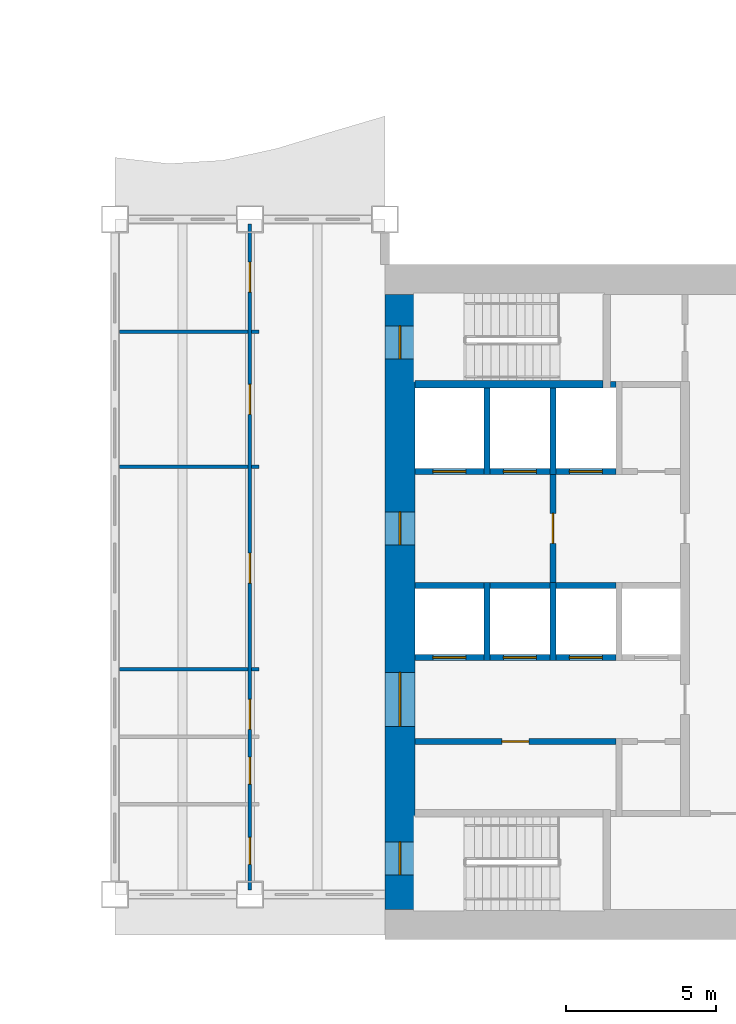
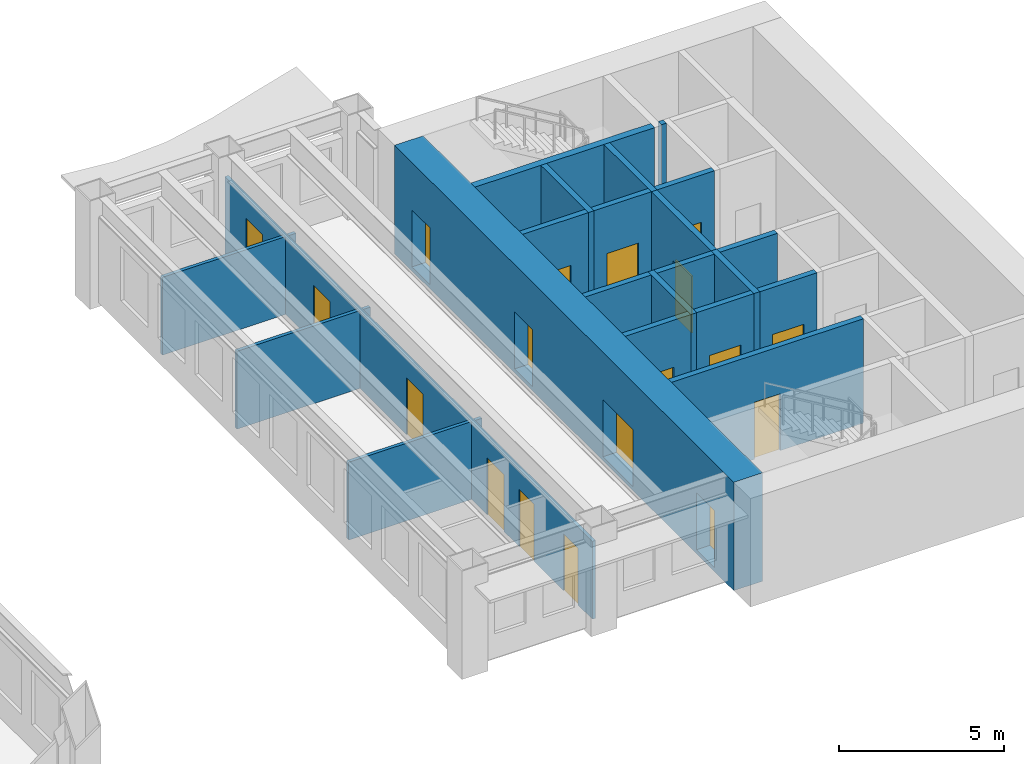
# One storey, part 6 of 13: 25 walls, 18 doors, 18 openings.
"""IFC4 building model written with IfcOpenShell, lengths in metres."""

from ifc_helpers import new_model, si_unit, direction, frame, frame_2d, origin, place, context, subcontext, project, spatial, rectangle, extrude, material, layer, layer_set, type_object, element, fill, save


model = new_model("IFC4")

# Units and contexts
model_context = context("Model", 3, precision=1e-05, world=origin(), true_north=direction((0.0, 1.0)))
body_context = subcontext(model_context, "Body", "Model", "MODEL_VIEW")
ifc_project = project(units=[si_unit("LENGTHUNIT", "METRE"), si_unit("AREAUNIT", "SQUARE_METRE"), si_unit("VOLUMEUNIT", "CUBIC_METRE"), si_unit("PLANEANGLEUNIT", "RADIAN"), si_unit("MASSUNIT", "GRAM", prefix="KILO")], contexts=[model_context])

# Site, building, storey
site_placement = place(None, origin())
site = spatial("IfcSite", under=ifc_project, at=site_placement, CompositionType="ELEMENT")
building_placement = place(site_placement, origin())
building = spatial("IfcBuilding", under=site, at=building_placement, Name="Sennacour Bend Tower", CompositionType="ELEMENT")
storey_placement = place(building_placement, frame((0.0, 0.0, 143.0)))
storey = spatial("IfcBuildingStorey", under=building, at=storey_placement, Name="L32", CompositionType="ELEMENT", Elevation=143.0)

# Wall, openings, doors
ifc_material_1 = material(Name="Concrete C60/75", Category="concrete")
ifc_layer_1 = layer(ifc_material_1, 1.0, Name="Concrete C60/75", Category="concrete")
ifc_layer_set_1 = layer_set([ifc_layer_1], Name="Concrete C60/75")
wall_type_1 = type_object("IfcWallType", Name="Core wall 1000 C60/75", PredefinedType="SHEAR", material=ifc_layer_set_1)
wall_1_placement = place(storey_placement, frame((54.5, 1.0, -0.14990234375), z_axis=(0.0, 0.0, 1.0), x_axis=(0.0, 1.0, 0.0)))
wall_1 = element("IfcWall", 1, at=wall_1_placement, inside=storey, type_object=wall_type_1, Name="Core A wall L32 W", PredefinedType="SHEAR", context=body_context, shape_type="SweptSolid", body=[
    extrude(rectangle(XDim=20.5, YDim=1.0, at=frame_2d((10.25, 0.0))), origin(), (0.0, 0.0, 1.0), 4.0),
])
opening_1_placement = place(wall_1_placement, frame((6.10009765625, 0.0, 0.14990234375)))
opening_1 = element("IfcOpeningElement", 2, at=opening_1_placement, cuts=wall_1, Name="Opening CD", PredefinedType="OPENING", context=body_context, shape_type="SweptSolid", body=[
    extrude(rectangle(XDim=1.800048828125, YDim=2.10009765625, at=frame_2d((0.89990234375, 1.050048828125))), frame((0.0, 0.510009765625, 0.0), z_axis=(0.0, -1.0, 0.0), x_axis=(1.0, 0.0, 0.0)), (0.0, 0.0, 1.0), 1.02001953125),
])
opening_2_placement = place(wall_1_placement, frame((12.14990234375, 0.0, 0.14990234375)))
opening_2 = element("IfcOpeningElement", 3, at=opening_2_placement, cuts=wall_1, Name="Opening FD", PredefinedType="OPENING", context=body_context, shape_type="SweptSolid", body=[
    extrude(rectangle(XDim=1.10009765625, YDim=2.10009765625, at=frame_2d((0.550048828125, 1.050048828125))), frame((0.0, 0.510009765625, 0.0), z_axis=(0.0, -1.0, 0.0), x_axis=(1.0, 0.0, 0.0)), (0.0, 0.0, 1.0), 1.02001953125),
])
opening_3_placement = place(wall_1_placement, frame((1.14990234375, 0.0, 0.14990234375)))
opening_3 = element("IfcOpeningElement", 4, at=opening_3_placement, cuts=wall_1, Name="Opening SD", PredefinedType="OPENING", context=body_context, shape_type="SweptSolid", body=[
    extrude(rectangle(XDim=1.10009765625, YDim=2.10009765625, at=frame_2d((0.550048828125, 1.050048828125))), frame((0.0, 0.510009765625, 0.0), z_axis=(0.0, -1.0, 0.0), x_axis=(1.0, 0.0, 0.0)), (0.0, 0.0, 1.0), 1.02001953125),
])
opening_4_placement = place(wall_1_placement, frame((18.35009765625, 0.0, 0.14990234375)))
opening_4 = element("IfcOpeningElement", 5, at=opening_4_placement, cuts=wall_1, Name="Opening SD", PredefinedType="OPENING", context=body_context, shape_type="SweptSolid", body=[
    extrude(rectangle(XDim=1.10009765625, YDim=2.10009765625, at=frame_2d((0.550048828125, 1.050048828125))), frame((0.0, 0.510009765625, 0.0), z_axis=(0.0, -1.0, 0.0), x_axis=(1.0, 0.0, 0.0)), (0.0, 0.0, 1.0), 1.02001953125),
])
ifc_material_2 = material(Name="Painted steel", Category="steel")
door_type_1 = type_object("IfcDoorType", Name="DR-FFL-1100", OperationType="NOTDEFINED", PredefinedType="DOOR", material=ifc_material_2)
door_1_placement = place(opening_2_placement, origin())
door_1 = element("IfcDoor", 6, at=door_1_placement, inside=storey, type_object=door_type_1, Name="Door", OperationType="SINGLE_SWING_RIGHT", OverallHeight=2.10009765625, OverallWidth=1.10009765625, PredefinedType="DOOR", context=body_context, shape_type="SweptSolid", body=[
    extrude(rectangle(XDim=1.10009765625, YDim=2.10009765625, at=frame_2d((0.550048828125, 1.050048828125))), frame((0.0, 0.02490234375, 0.0), z_axis=(0.0, -1.0, 0.0), x_axis=(1.0, 0.0, 0.0)), (0.0, 0.0, 1.0), 0.050048828125),
])
fill(opening_2, door_1)
door_type_2 = type_object("IfcDoorType", Name="DR-LOBBY-1800", OperationType="NOTDEFINED", PredefinedType="DOOR", material=ifc_material_2)
door_2_placement = place(opening_1_placement, origin())
door_2 = element("IfcDoor", 7, at=door_2_placement, inside=storey, type_object=door_type_2, Name="Door", OperationType="DOUBLE_DOOR_SINGLE_SWING", OverallHeight=2.10009765625, OverallWidth=1.800048828125, PredefinedType="DOOR", context=body_context, shape_type="SweptSolid", body=[
    extrude(rectangle(XDim=1.800048828125, YDim=2.10009765625, at=frame_2d((0.89990234375, 1.050048828125))), frame((0.0, 0.02490234375, 0.0), z_axis=(0.0, -1.0, 0.0), x_axis=(1.0, 0.0, 0.0)), (0.0, 0.0, 1.0), 0.050048828125),
])
fill(opening_1, door_2)
door_type_3 = type_object("IfcDoorType", Name="DR-STAIR-1100", OperationType="NOTDEFINED", PredefinedType="DOOR", material=ifc_material_2)
door_3_placement = place(opening_3_placement, origin())
door_3 = element("IfcDoor", 8, at=door_3_placement, inside=storey, type_object=door_type_3, Name="Door", OperationType="SINGLE_SWING_LEFT", OverallHeight=2.10009765625, OverallWidth=1.10009765625, PredefinedType="DOOR", context=body_context, shape_type="SweptSolid", body=[
    extrude(rectangle(XDim=1.10009765625, YDim=2.10009765625, at=frame_2d((0.550048828125, 1.050048828125))), frame((0.0, 0.02490234375, 0.0), z_axis=(0.0, -1.0, 0.0), x_axis=(1.0, 0.0, 0.0)), (0.0, 0.0, 1.0), 0.050048828125),
])
fill(opening_3, door_3)
door_4_placement = place(opening_4_placement, origin())
door_4 = element("IfcDoor", 9, at=door_4_placement, inside=storey, type_object=door_type_3, Name="Door", OperationType="SINGLE_SWING_RIGHT", OverallHeight=2.10009765625, OverallWidth=1.10009765625, PredefinedType="DOOR", context=body_context, shape_type="SweptSolid", body=[
    extrude(rectangle(XDim=1.10009765625, YDim=2.10009765625, at=frame_2d((0.550048828125, 1.050048828125))), frame((0.0, 0.02490234375, 0.0), z_axis=(0.0, -1.0, 0.0), x_axis=(1.0, 0.0, 0.0)), (0.0, 0.0, 1.0), 0.050048828125),
])
fill(opening_4, door_4)

ifc_material_3 = material(Name="Plasterboard partition on steel studs", Category="steel")
ifc_layer_2 = layer(ifc_material_3, 0.1201171875, Name="Plasterboard partition on steel studs", Category="steel")
ifc_layer_set_2 = layer_set([ifc_layer_2], Name="Plasterboard partition on steel studs")
wall_type_2 = type_object("IfcWallType", Name="Partition 120", PredefinedType="PARTITIONING", material=ifc_layer_set_2)
wall_2_placement = place(storey_placement, frame((49.5, 1.64990234375, 0.0), z_axis=(0.0, 0.0, 1.0), x_axis=(0.0, 1.0, 0.0)))
wall_2 = element("IfcWall", 10, at=wall_2_placement, inside=storey, type_object=wall_type_2, Name="P-L32-W027a", PredefinedType="PARTITIONING", context=body_context, shape_type="SweptSolid", body=[
    extrude(rectangle(XDim=22.2001953125, YDim=0.1201171875, at=frame_2d((11.10009765625, 0.0))), origin(), (0.0, 0.0, 1.0), 2.8701171875),
])
opening_5_placement = place(wall_2_placement, frame((0.85009765625, 0.0, 0.0)))
opening_5 = element("IfcOpeningElement", 11, at=opening_5_placement, cuts=wall_2, Name="Opening WD", PredefinedType="OPENING", context=body_context, shape_type="SweptSolid", body=[
    extrude(rectangle(XDim=0.89990234375, YDim=2.10009765625, at=frame_2d((0.449951171875, 1.050048828125))), frame((0.0, 0.070068359375, 0.0), z_axis=(0.0, -1.0, 0.0), x_axis=(1.0, 0.0, 0.0)), (0.0, 0.0, 1.0), 0.14013671875),
])
opening_6_placement = place(wall_2_placement, frame((3.525146484375, 0.0, 0.0)))
opening_6 = element("IfcOpeningElement", 12, at=opening_6_placement, cuts=wall_2, Name="Opening WD", PredefinedType="OPENING", context=body_context, shape_type="SweptSolid", body=[
    extrude(rectangle(XDim=0.89990234375, YDim=2.10009765625, at=frame_2d((0.449951171875, 1.050048828125))), frame((0.0, 0.070068359375, 0.0), z_axis=(0.0, -1.0, 0.0), x_axis=(1.0, 0.0, 0.0)), (0.0, 0.0, 1.0), 0.14013671875),
])
opening_7_placement = place(wall_2_placement, frame((5.35009765625, 0.0, 0.0)))
opening_7 = element("IfcOpeningElement", 13, at=opening_7_placement, cuts=wall_2, Name="Opening AD", PredefinedType="OPENING", context=body_context, shape_type="SweptSolid", body=[
    extrude(rectangle(XDim=1.0, YDim=2.10009765625, at=frame_2d((0.5, 1.050048828125))), frame((0.0, 0.070068359375, 0.0), z_axis=(0.0, -1.0, 0.0), x_axis=(1.0, 0.0, 0.0)), (0.0, 0.0, 1.0), 0.14013671875),
])
opening_8_placement = place(wall_2_placement, frame((10.22509765625, 0.0, 0.0)))
opening_8 = element("IfcOpeningElement", 14, at=opening_8_placement, cuts=wall_2, Name="Opening MD2", PredefinedType="OPENING", context=body_context, shape_type="SweptSolid", body=[
    extrude(rectangle(XDim=1.0, YDim=2.10009765625, at=frame_2d((0.5, 1.050048828125))), frame((0.0, 0.070068359375, 0.0), z_axis=(0.0, -1.0, 0.0), x_axis=(1.0, 0.0, 0.0)), (0.0, 0.0, 1.0), 0.14013671875),
])
opening_9_placement = place(wall_2_placement, frame((15.85009765625, 0.0, 0.0)))
opening_9 = element("IfcOpeningElement", 15, at=opening_9_placement, cuts=wall_2, Name="Opening OD2", PredefinedType="OPENING", context=body_context, shape_type="SweptSolid", body=[
    extrude(rectangle(XDim=1.0, YDim=2.10009765625, at=frame_2d((0.5, 1.050048828125))), frame((0.0, 0.070068359375, 0.0), z_axis=(0.0, -1.0, 0.0), x_axis=(1.0, 0.0, 0.0)), (0.0, 0.0, 1.0), 0.14013671875),
])
opening_10_placement = place(wall_2_placement, frame((19.920166015625, 0.0, 0.0)))
opening_10 = element("IfcOpeningElement", 16, at=opening_10_placement, cuts=wall_2, Name="Opening OD2", PredefinedType="OPENING", context=body_context, shape_type="SweptSolid", body=[
    extrude(rectangle(XDim=1.0, YDim=2.10009765625, at=frame_2d((0.5, 1.050048828125))), frame((0.0, 0.070068359375, 0.0), z_axis=(0.0, -1.0, 0.0), x_axis=(1.0, 0.0, 0.0)), (0.0, 0.0, 1.0), 0.14013671875),
])
ifc_material_4 = material(Name="Timber", Category="wood")
door_type_4 = type_object("IfcDoorType", Name="DR-ACC-WC-1000", OperationType="NOTDEFINED", PredefinedType="DOOR", material=ifc_material_4)
door_5_placement = place(opening_7_placement, origin())
door_5 = element("IfcDoor", 17, at=door_5_placement, inside=storey, type_object=door_type_4, Name="Door", OperationType="SINGLE_SWING_LEFT", OverallHeight=2.10009765625, OverallWidth=1.0, PredefinedType="DOOR", context=body_context, shape_type="SweptSolid", body=[
    extrude(rectangle(XDim=1.0, YDim=2.10009765625, at=frame_2d((0.5, 1.050048828125))), frame((0.0, 0.02490234375, 0.0), z_axis=(0.0, -1.0, 0.0), x_axis=(1.0, 0.0, 0.0)), (0.0, 0.0, 1.0), 0.050048828125),
])
fill(opening_7, door_5)
door_type_5 = type_object("IfcDoorType", Name="DR-MEETING-1000", OperationType="NOTDEFINED", PredefinedType="DOOR", material=ifc_material_4)
door_6_placement = place(opening_8_placement, origin())
door_6 = element("IfcDoor", 18, at=door_6_placement, inside=storey, type_object=door_type_5, Name="Door", OperationType="SINGLE_SWING_LEFT", OverallHeight=2.10009765625, OverallWidth=1.0, PredefinedType="DOOR", context=body_context, shape_type="SweptSolid", body=[
    extrude(rectangle(XDim=1.0, YDim=2.10009765625, at=frame_2d((0.5, 1.050048828125))), frame((0.0, 0.02490234375, 0.0), z_axis=(0.0, -1.0, 0.0), x_axis=(1.0, 0.0, 0.0)), (0.0, 0.0, 1.0), 0.050048828125),
])
fill(opening_8, door_6)
door_type_6 = type_object("IfcDoorType", Name="DR-OFFICE-1000", OperationType="NOTDEFINED", PredefinedType="DOOR", material=ifc_material_4)
door_7_placement = place(opening_9_placement, origin())
door_7 = element("IfcDoor", 19, at=door_7_placement, inside=storey, type_object=door_type_6, Name="Door", OperationType="SINGLE_SWING_RIGHT", OverallHeight=2.10009765625, OverallWidth=1.0, PredefinedType="DOOR", context=body_context, shape_type="SweptSolid", body=[
    extrude(rectangle(XDim=1.0, YDim=2.10009765625, at=frame_2d((0.5, 1.050048828125))), frame((0.0, 0.02490234375, 0.0), z_axis=(0.0, -1.0, 0.0), x_axis=(1.0, 0.0, 0.0)), (0.0, 0.0, 1.0), 0.050048828125),
])
fill(opening_9, door_7)
door_8_placement = place(opening_10_placement, origin())
door_8 = element("IfcDoor", 20, at=door_8_placement, inside=storey, type_object=door_type_6, Name="Door", OperationType="SINGLE_SWING_RIGHT", OverallHeight=2.10009765625, OverallWidth=1.0, PredefinedType="DOOR", context=body_context, shape_type="SweptSolid", body=[
    extrude(rectangle(XDim=1.0, YDim=2.10009765625, at=frame_2d((0.5, 1.050048828125))), frame((0.0, 0.02490234375, 0.0), z_axis=(0.0, -1.0, 0.0), x_axis=(1.0, 0.0, 0.0)), (0.0, 0.0, 1.0), 0.050048828125),
])
fill(opening_10, door_8)
door_type_7 = type_object("IfcDoorType", Name="DR-WC-900", OperationType="NOTDEFINED", PredefinedType="DOOR", material=ifc_material_4)
door_9_placement = place(opening_5_placement, origin())
door_9 = element("IfcDoor", 21, at=door_9_placement, inside=storey, type_object=door_type_7, Name="Door", OperationType="SINGLE_SWING_LEFT", OverallHeight=2.10009765625, OverallWidth=0.89990234375, PredefinedType="DOOR", context=body_context, shape_type="SweptSolid", body=[
    extrude(rectangle(XDim=0.89990234375, YDim=2.10009765625, at=frame_2d((0.449951171875, 1.050048828125))), frame((0.0, 0.02490234375, 0.0), z_axis=(0.0, -1.0, 0.0), x_axis=(1.0, 0.0, 0.0)), (0.0, 0.0, 1.0), 0.050048828125),
])
fill(opening_5, door_9)
door_10_placement = place(opening_6_placement, origin())
door_10 = element("IfcDoor", 22, at=door_10_placement, inside=storey, type_object=door_type_7, Name="Door", OperationType="SINGLE_SWING_LEFT", OverallHeight=2.10009765625, OverallWidth=0.89990234375, PredefinedType="DOOR", context=body_context, shape_type="SweptSolid", body=[
    extrude(rectangle(XDim=0.89990234375, YDim=2.10009765625, at=frame_2d((0.449951171875, 1.050048828125))), frame((0.0, 0.02490234375, 0.0), z_axis=(0.0, -1.0, 0.0), x_axis=(1.0, 0.0, 0.0)), (0.0, 0.0, 1.0), 0.050048828125),
])
fill(opening_6, door_10)

# Walls
wall_3_placement = place(storey_placement, frame((45.14990234375, 9.0, 0.0), z_axis=(0.0, 0.0, 1.0), x_axis=(1.0, 0.0, 0.0)))
element("IfcWall", 23, at=wall_3_placement, inside=storey, type_object=wall_type_2, Name="P-L32-W052aa", PredefinedType="PARTITIONING", context=body_context, shape_type="SweptSolid", body=[
    extrude(rectangle(XDim=4.2900390625, YDim=0.1201171875, at=frame_2d((2.14501953125, 0.0))), origin(), (0.0, 0.0, 1.0), 2.8701171875),
])
wall_4_placement = place(storey_placement, frame((49.56005859375, 9.0, 0.0), z_axis=(0.0, 0.0, 1.0), x_axis=(1.0, 0.0, 0.0)))
element("IfcWall", 24, at=wall_4_placement, inside=storey, type_object=wall_type_2, Name="P-L32-W052ab", PredefinedType="PARTITIONING", context=body_context, shape_type="SweptSolid", body=[
    extrude(rectangle(XDim=0.239990234375, YDim=0.1201171875, at=frame_2d((0.1201171875, 0.0))), origin(), (0.0, 0.0, 1.0), 2.8701171875),
])
wall_5_placement = place(storey_placement, frame((45.14990234375, 15.75, 0.0), z_axis=(0.0, 0.0, 1.0), x_axis=(1.0, 0.0, 0.0)))
element("IfcWall", 25, at=wall_5_placement, inside=storey, type_object=wall_type_2, Name="P-L32-W059aa", PredefinedType="PARTITIONING", context=body_context, shape_type="SweptSolid", body=[
    extrude(rectangle(XDim=4.2900390625, YDim=0.1201171875, at=frame_2d((2.14501953125, 0.0))), origin(), (0.0, 0.0, 1.0), 2.8701171875),
])
wall_6_placement = place(storey_placement, frame((49.56005859375, 15.75, 0.0), z_axis=(0.0, 0.0, 1.0), x_axis=(1.0, 0.0, 0.0)))
element("IfcWall", 26, at=wall_6_placement, inside=storey, type_object=wall_type_2, Name="P-L32-W059ab", PredefinedType="PARTITIONING", context=body_context, shape_type="SweptSolid", body=[
    extrude(rectangle(XDim=0.239990234375, YDim=0.1201171875, at=frame_2d((0.1201171875, 0.0))), origin(), (0.0, 0.0, 1.0), 2.8701171875),
])
wall_7_placement = place(storey_placement, frame((45.14990234375, 20.25, 0.0), z_axis=(0.0, 0.0, 1.0), x_axis=(1.0, 0.0, 0.0)))
element("IfcWall", 27, at=wall_7_placement, inside=storey, type_object=wall_type_2, Name="P-L32-W064aa", PredefinedType="PARTITIONING", context=body_context, shape_type="SweptSolid", body=[
    extrude(rectangle(XDim=4.2900390625, YDim=0.1201171875, at=frame_2d((2.14501953125, 0.0))), origin(), (0.0, 0.0, 1.0), 2.8701171875),
])
wall_8_placement = place(storey_placement, frame((49.56005859375, 20.25, 0.0), z_axis=(0.0, 0.0, 1.0), x_axis=(1.0, 0.0, 0.0)))
element("IfcWall", 28, at=wall_8_placement, inside=storey, type_object=wall_type_2, Name="P-L32-W064ab", PredefinedType="PARTITIONING", context=body_context, shape_type="SweptSolid", body=[
    extrude(rectangle(XDim=0.239990234375, YDim=0.1201171875, at=frame_2d((0.1201171875, 0.0))), origin(), (0.0, 0.0, 1.0), 2.8701171875),
])

# Wall, opening, door
ifc_material_5 = material(Name="Fire-rated plasterboard partition on steel studs", Category="steel")
ifc_layer_3 = layer(ifc_material_5, 0.199951171875, Name="Fire-rated plasterboard partition on steel studs", Category="steel")
ifc_layer_set_3 = layer_set([ifc_layer_3], Name="Fire-rated plasterboard partition on steel studs")
wall_type_3 = type_object("IfcWallType", Name="Rated partition 200", PredefinedType="PARTITIONING", material=ifc_layer_set_3)
wall_9_placement = place(storey_placement, frame((55.0, 6.60009765625, 0.0), z_axis=(0.0, 0.0, 1.0), x_axis=(1.0, 0.0, 0.0)))
wall_9 = element("IfcWall", 29, at=wall_9_placement, inside=storey, type_object=wall_type_3, Name="P-L32-W049a", PredefinedType="PARTITIONING", context=body_context, shape_type="SweptSolid", body=[
    extrude(rectangle(XDim=6.699951171875, YDim=0.199951171875, at=frame_2d((3.35009765625, 0.0))), origin(), (0.0, 0.0, 1.0), 3.85009765625),
])
opening_11_placement = place(wall_9_placement, frame((2.89990234375, 0.0, 0.0)))
opening_11 = element("IfcOpeningElement", 30, at=opening_11_placement, cuts=wall_9, Name="Opening SV", PredefinedType="OPENING", context=body_context, shape_type="SweptSolid", body=[
    extrude(rectangle(XDim=0.89990234375, YDim=2.10009765625, at=frame_2d((0.449951171875, 1.050048828125))), frame((0.0, 0.10986328125, 0.0), z_axis=(0.0, -1.0, 0.0), x_axis=(1.0, 0.0, 0.0)), (0.0, 0.0, 1.0), 0.219970703125),
])
door_type_8 = type_object("IfcDoorType", Name="DR-SERVICE-900", OperationType="NOTDEFINED", PredefinedType="DOOR", material=ifc_material_2)
door_11_placement = place(opening_11_placement, origin())
door_11 = element("IfcDoor", 31, at=door_11_placement, inside=storey, type_object=door_type_8, Name="Door", OperationType="SINGLE_SWING_LEFT", OverallHeight=2.10009765625, OverallWidth=0.89990234375, PredefinedType="DOOR", context=body_context, shape_type="SweptSolid", body=[
    extrude(rectangle(XDim=0.89990234375, YDim=2.10009765625, at=frame_2d((0.449951171875, 1.050048828125))), frame((0.0, 0.02490234375, 0.0), z_axis=(0.0, -1.0, 0.0), x_axis=(1.0, 0.0, 0.0)), (0.0, 0.0, 1.0), 0.050048828125),
])
fill(opening_11, door_11)

ifc_layer_4 = layer(ifc_material_5, 0.199951171875, Name="Fire-rated plasterboard partition on steel studs", Category="steel")
ifc_layer_set_4 = layer_set([ifc_layer_4], Name="Fire-rated plasterboard partition on steel studs")
wall_type_4 = type_object("IfcWallType", Name="Rated partition 200 EI 90", PredefinedType="PARTITIONING", material=ifc_layer_set_4)
wall_10_placement = place(storey_placement, frame((59.60009765625, 11.89990234375, 0.0), z_axis=(0.0, 0.0, 1.0), x_axis=(0.0, 1.0, 0.0)))
wall_10 = element("IfcWall", 32, at=wall_10_placement, inside=storey, type_object=wall_type_4, Name="P-L32-W032", PredefinedType="PARTITIONING", context=body_context, shape_type="SweptSolid", body=[
    extrude(rectangle(XDim=3.60009765625, YDim=0.199951171875, at=frame_2d((1.800048828125, 0.0))), origin(), (0.0, 0.0, 1.0), 3.85009765625),
])
opening_12_placement = place(wall_10_placement, frame((1.300048828125, 0.0, 0.0)))
opening_12 = element("IfcOpeningElement", 33, at=opening_12_placement, cuts=wall_10, Name="Opening FD2", PredefinedType="OPENING", context=body_context, shape_type="SweptSolid", body=[
    extrude(rectangle(XDim=1.0, YDim=2.10009765625, at=frame_2d((0.5, 1.050048828125))), frame((0.0, 0.10986328125, 0.0), z_axis=(0.0, -1.0, 0.0), x_axis=(1.0, 0.0, 0.0)), (0.0, 0.0, 1.0), 0.219970703125),
])
door_type_9 = type_object("IfcDoorType", Name="DR-FFL-1000", OperationType="NOTDEFINED", PredefinedType="DOOR", material=ifc_material_2)
door_12_placement = place(opening_12_placement, origin())
door_12 = element("IfcDoor", 34, at=door_12_placement, inside=storey, type_object=door_type_9, Name="Door", OperationType="SINGLE_SWING_LEFT", OverallHeight=2.10009765625, OverallWidth=1.0, PredefinedType="DOOR", context=body_context, shape_type="SweptSolid", body=[
    extrude(rectangle(XDim=1.0, YDim=2.10009765625, at=frame_2d((0.5, 1.050048828125))), frame((0.0, 0.02490234375, 0.0), z_axis=(0.0, -1.0, 0.0), x_axis=(1.0, 0.0, 0.0)), (0.0, 0.0, 1.0), 0.050048828125),
])
fill(opening_12, door_12)

# Walls
ifc_material_6 = material(Name="Concrete C50/60", Category="concrete")
ifc_layer_5 = layer(ifc_material_6, 0.199951171875, Name="Concrete C50/60", Category="concrete")
ifc_layer_set_5 = layer_set([ifc_layer_5], Name="Concrete C50/60")
wall_type_5 = type_object("IfcWallType", Name="Shaft wall 200", PredefinedType="SOLIDWALL", material=ifc_layer_set_5)
wall_11_placement = place(storey_placement, frame((57.39990234375, 9.300048828125, 0.0), z_axis=(0.0, 0.0, 1.0), x_axis=(0.0, 1.0, 0.0)))
element("IfcWall", 35, at=wall_11_placement, inside=storey, type_object=wall_type_5, Name="P-L32-W029", PredefinedType="SOLIDWALL", context=body_context, shape_type="SweptSolid", body=[
    extrude(rectangle(XDim=2.599853515625, YDim=0.199951171875, at=frame_2d((1.2998046875, 0.0))), origin(), (0.0, 0.0, 1.0), 3.85009765625),
])
wall_12_placement = place(storey_placement, frame((57.39990234375, 15.5, 0.0), z_axis=(0.0, 0.0, 1.0), x_axis=(0.0, 1.0, 0.0)))
element("IfcWall", 36, at=wall_12_placement, inside=storey, type_object=wall_type_5, Name="P-L32-W030", PredefinedType="SOLIDWALL", context=body_context, shape_type="SweptSolid", body=[
    extrude(rectangle(XDim=2.875, YDim=0.199951171875, at=frame_2d((1.4375, 0.0))), origin(), (0.0, 0.0, 1.0), 3.85009765625),
])
wall_13_placement = place(storey_placement, frame((59.60009765625, 9.300048828125, 0.0), z_axis=(0.0, 0.0, 1.0), x_axis=(0.0, 1.0, 0.0)))
element("IfcWall", 37, at=wall_13_placement, inside=storey, type_object=wall_type_5, Name="P-L32-W031", PredefinedType="SOLIDWALL", context=body_context, shape_type="SweptSolid", body=[
    extrude(rectangle(XDim=2.599853515625, YDim=0.199951171875, at=frame_2d((1.2998046875, 0.0))), origin(), (0.0, 0.0, 1.0), 3.85009765625),
])
wall_14_placement = place(storey_placement, frame((59.60009765625, 15.5, 0.0), z_axis=(0.0, 0.0, 1.0), x_axis=(0.0, 1.0, 0.0)))
element("IfcWall", 38, at=wall_14_placement, inside=storey, type_object=wall_type_5, Name="P-L32-W033", PredefinedType="SOLIDWALL", context=body_context, shape_type="SweptSolid", body=[
    extrude(rectangle(XDim=2.875, YDim=0.199951171875, at=frame_2d((1.4375, 0.0))), origin(), (0.0, 0.0, 1.0), 3.85009765625),
])

# Wall, opening, door
wall_15_placement = place(storey_placement, frame((55.0, 9.39990234375, 0.0), z_axis=(0.0, 0.0, 1.0), x_axis=(1.0, 0.0, 0.0)))
wall_15 = element("IfcWall", 39, at=wall_15_placement, inside=storey, type_object=wall_type_5, Name="P-L32-W053a", PredefinedType="SOLIDWALL", context=body_context, shape_type="SweptSolid", body=[
    extrude(rectangle(XDim=2.300048828125, YDim=0.199951171875, at=frame_2d((1.14990234375, 0.0))), origin(), (0.0, 0.0, 1.0), 3.85009765625),
])
opening_13_placement = place(wall_15_placement, frame((0.60009765625, 0.0, 0.011962890625)))
opening_13 = element("IfcOpeningElement", 40, at=opening_13_placement, cuts=wall_15, Name="Opening LD", PredefinedType="OPENING", context=body_context, shape_type="SweptSolid", body=[
    extrude(rectangle(XDim=1.10009765625, YDim=2.10009765625, at=frame_2d((0.550048828125, 1.050048828125))), frame((0.0, 0.10986328125, 0.0), z_axis=(0.0, -1.0, 0.0), x_axis=(1.0, 0.0, 0.0)), (0.0, 0.0, 1.0), 0.219970703125),
])
ifc_material_7 = material(Name="Stainless steel", Category="steel")
door_type_10 = type_object("IfcDoorType", Name="DR-LANDING-1100", OperationType="NOTDEFINED", PredefinedType="DOOR", material=ifc_material_7)
door_13_placement = place(opening_13_placement, origin())
door_13 = element("IfcDoor", 41, at=door_13_placement, inside=storey, type_object=door_type_10, Name="Lift landing door HA1", OperationType="SLIDING_TO_LEFT", OverallHeight=2.10009765625, OverallWidth=1.10009765625, PredefinedType="DOOR", context=body_context, shape_type="SweptSolid", body=[
    extrude(rectangle(XDim=1.10009765625, YDim=2.10009765625, at=frame_2d((0.550048828125, 1.050048828125))), frame((0.0, 0.02490234375, 0.0), z_axis=(0.0, -1.0, 0.0), x_axis=(1.0, 0.0, 0.0)), (0.0, 0.0, 1.0), 0.050048828125),
])
fill(opening_13, door_13)

wall_16_placement = place(storey_placement, frame((57.5, 9.39990234375, 0.0), z_axis=(0.0, 0.0, 1.0), x_axis=(1.0, 0.0, 0.0)))
wall_16 = element("IfcWall", 42, at=wall_16_placement, inside=storey, type_object=wall_type_5, Name="P-L32-W053b", PredefinedType="SOLIDWALL", context=body_context, shape_type="SweptSolid", body=[
    extrude(rectangle(XDim=2.0, YDim=0.199951171875, at=frame_2d((1.0, 0.0))), origin(), (0.0, 0.0, 1.0), 3.85009765625),
])
opening_14_placement = place(wall_16_placement, frame((0.449951171875, 0.0, 0.011962890625)))
opening_14 = element("IfcOpeningElement", 43, at=opening_14_placement, cuts=wall_16, Name="Opening LD", PredefinedType="OPENING", context=body_context, shape_type="SweptSolid", body=[
    extrude(rectangle(XDim=1.10009765625, YDim=2.10009765625, at=frame_2d((0.550048828125, 1.050048828125))), frame((0.0, 0.10986328125, 0.0), z_axis=(0.0, -1.0, 0.0), x_axis=(1.0, 0.0, 0.0)), (0.0, 0.0, 1.0), 0.219970703125),
])
door_14_placement = place(opening_14_placement, origin())
door_14 = element("IfcDoor", 44, at=door_14_placement, inside=storey, type_object=door_type_10, Name="Lift landing door HA2", OperationType="SLIDING_TO_RIGHT", OverallHeight=2.10009765625, OverallWidth=1.10009765625, PredefinedType="DOOR", context=body_context, shape_type="SweptSolid", body=[
    extrude(rectangle(XDim=1.10009765625, YDim=2.10009765625, at=frame_2d((0.550048828125, 1.050048828125))), frame((0.0, 0.02490234375, 0.0), z_axis=(0.0, -1.0, 0.0), x_axis=(1.0, 0.0, 0.0)), (0.0, 0.0, 1.0), 0.050048828125),
])
fill(opening_14, door_14)

wall_17_placement = place(storey_placement, frame((59.699951171875, 9.39990234375, 0.0), z_axis=(0.0, 0.0, 1.0), x_axis=(1.0, 0.0, 0.0)))
wall_17 = element("IfcWall", 45, at=wall_17_placement, inside=storey, type_object=wall_type_5, Name="P-L32-W053c", PredefinedType="SOLIDWALL", context=body_context, shape_type="SweptSolid", body=[
    extrude(rectangle(XDim=2.0, YDim=0.199951171875, at=frame_2d((1.0, 0.0))), origin(), (0.0, 0.0, 1.0), 3.85009765625),
])
opening_15_placement = place(wall_17_placement, frame((0.449951171875, 0.0, 0.011962890625)))
opening_15 = element("IfcOpeningElement", 46, at=opening_15_placement, cuts=wall_17, Name="Opening LD", PredefinedType="OPENING", context=body_context, shape_type="SweptSolid", body=[
    extrude(rectangle(XDim=1.10009765625, YDim=2.10009765625, at=frame_2d((0.550048828125, 1.050048828125))), frame((0.0, 0.10986328125, 0.0), z_axis=(0.0, -1.0, 0.0), x_axis=(1.0, 0.0, 0.0)), (0.0, 0.0, 1.0), 0.219970703125),
])
door_15_placement = place(opening_15_placement, origin())
door_15 = element("IfcDoor", 47, at=door_15_placement, inside=storey, type_object=door_type_10, Name="Lift landing door HA3", OperationType="SLIDING_TO_LEFT", OverallHeight=2.10009765625, OverallWidth=1.10009765625, PredefinedType="DOOR", context=body_context, shape_type="SweptSolid", body=[
    extrude(rectangle(XDim=1.10009765625, YDim=2.10009765625, at=frame_2d((0.550048828125, 1.050048828125))), frame((0.0, 0.02490234375, 0.0), z_axis=(0.0, -1.0, 0.0), x_axis=(1.0, 0.0, 0.0)), (0.0, 0.0, 1.0), 0.050048828125),
])
fill(opening_15, door_15)

# Walls
wall_18_placement = place(storey_placement, frame((55.0, 11.800048828125, 0.0), z_axis=(0.0, 0.0, 1.0), x_axis=(1.0, 0.0, 0.0)))
element("IfcWall", 48, at=wall_18_placement, inside=storey, type_object=wall_type_5, Name="P-L32-W055a", PredefinedType="SOLIDWALL", context=body_context, shape_type="SweptSolid", body=[
    extrude(rectangle(XDim=2.300048828125, YDim=0.199951171875, at=frame_2d((1.14990234375, 0.0))), origin(), (0.0, 0.0, 1.0), 3.85009765625),
])
for number, where, z_axis, x_axis, name in (
    (49, (57.5, 11.800048828125, 0.0), (0.0, 0.0, 1.0), (1.0, 0.0, 0.0), "P-L32-W055b"),
    (50, (59.699951171875, 11.800048828125, 0.0), (0.0, 0.0, 1.0), (1.0, 0.0, 0.0), "P-L32-W055c"),
):
    element("IfcWall", number, at=place(storey_placement, frame(where, z_axis=z_axis, x_axis=x_axis)), inside=storey, type_object=wall_type_5, Name=name, PredefinedType="SOLIDWALL", context=body_context, shape_type="SweptSolid", body=[
        extrude(rectangle(XDim=2.0, YDim=0.199951171875, at=frame_2d((1.0, 0.0))), origin(), (0.0, 0.0, 1.0), 3.85009765625),
    ])

# Wall, opening, door
wall_19_placement = place(storey_placement, frame((55.0, 15.60009765625, 0.0), z_axis=(0.0, 0.0, 1.0), x_axis=(1.0, 0.0, 0.0)))
wall_19 = element("IfcWall", 51, at=wall_19_placement, inside=storey, type_object=wall_type_5, Name="P-L32-W056a", PredefinedType="SOLIDWALL", context=body_context, shape_type="SweptSolid", body=[
    extrude(rectangle(XDim=2.300048828125, YDim=0.199951171875, at=frame_2d((1.14990234375, 0.0))), origin(), (0.0, 0.0, 1.0), 3.85009765625),
])
opening_16_placement = place(wall_19_placement, frame((0.60009765625, 0.0, 0.011962890625)))
opening_16 = element("IfcOpeningElement", 52, at=opening_16_placement, cuts=wall_19, Name="Opening FLD", PredefinedType="OPENING", context=body_context, shape_type="SweptSolid", body=[
    extrude(rectangle(XDim=1.10009765625, YDim=2.10009765625, at=frame_2d((0.550048828125, 1.050048828125))), frame((0.0, 0.10986328125, 0.0), z_axis=(0.0, -1.0, 0.0), x_axis=(1.0, 0.0, 0.0)), (0.0, 0.0, 1.0), 0.219970703125),
])
door_type_11 = type_object("IfcDoorType", Name="DR-FF-LANDING-1100", OperationType="NOTDEFINED", PredefinedType="DOOR", material=ifc_material_7)
door_16_placement = place(opening_16_placement, origin())
door_16 = element("IfcDoor", 53, at=door_16_placement, inside=storey, type_object=door_type_11, Name="Fire service lift landing door FA1", OperationType="SLIDING_TO_LEFT", OverallHeight=2.10009765625, OverallWidth=1.10009765625, PredefinedType="DOOR", context=body_context, shape_type="SweptSolid", body=[
    extrude(rectangle(XDim=1.10009765625, YDim=2.10009765625, at=frame_2d((0.550048828125, 1.050048828125))), frame((0.0, 0.02490234375, 0.0), z_axis=(0.0, -1.0, 0.0), x_axis=(1.0, 0.0, 0.0)), (0.0, 0.0, 1.0), 0.050048828125),
])
fill(opening_16, door_16)

wall_20_placement = place(storey_placement, frame((57.5, 15.60009765625, 0.0), z_axis=(0.0, 0.0, 1.0), x_axis=(1.0, 0.0, 0.0)))
wall_20 = element("IfcWall", 54, at=wall_20_placement, inside=storey, type_object=wall_type_5, Name="P-L32-W056b", PredefinedType="SOLIDWALL", context=body_context, shape_type="SweptSolid", body=[
    extrude(rectangle(XDim=2.0, YDim=0.199951171875, at=frame_2d((1.0, 0.0))), origin(), (0.0, 0.0, 1.0), 3.85009765625),
])
opening_17_placement = place(wall_20_placement, frame((0.449951171875, 0.0, 0.011962890625)))
opening_17 = element("IfcOpeningElement", 55, at=opening_17_placement, cuts=wall_20, Name="Opening FLD", PredefinedType="OPENING", context=body_context, shape_type="SweptSolid", body=[
    extrude(rectangle(XDim=1.10009765625, YDim=2.10009765625, at=frame_2d((0.550048828125, 1.050048828125))), frame((0.0, 0.10986328125, 0.0), z_axis=(0.0, -1.0, 0.0), x_axis=(1.0, 0.0, 0.0)), (0.0, 0.0, 1.0), 0.219970703125),
])
door_17_placement = place(opening_17_placement, origin())
door_17 = element("IfcDoor", 56, at=door_17_placement, inside=storey, type_object=door_type_11, Name="Fire service lift landing door FA2", OperationType="SLIDING_TO_RIGHT", OverallHeight=2.10009765625, OverallWidth=1.10009765625, PredefinedType="DOOR", context=body_context, shape_type="SweptSolid", body=[
    extrude(rectangle(XDim=1.10009765625, YDim=2.10009765625, at=frame_2d((0.550048828125, 1.050048828125))), frame((0.0, 0.02490234375, 0.0), z_axis=(0.0, -1.0, 0.0), x_axis=(1.0, 0.0, 0.0)), (0.0, 0.0, 1.0), 0.050048828125),
])
fill(opening_17, door_17)

wall_21_placement = place(storey_placement, frame((59.699951171875, 15.60009765625, 0.0), z_axis=(0.0, 0.0, 1.0), x_axis=(1.0, 0.0, 0.0)))
wall_21 = element("IfcWall", 57, at=wall_21_placement, inside=storey, type_object=wall_type_5, Name="P-L32-W056c", PredefinedType="SOLIDWALL", context=body_context, shape_type="SweptSolid", body=[
    extrude(rectangle(XDim=2.0, YDim=0.199951171875, at=frame_2d((1.0, 0.0))), origin(), (0.0, 0.0, 1.0), 3.85009765625),
])
opening_18_placement = place(wall_21_placement, frame((0.449951171875, 0.0, 0.011962890625)))
opening_18 = element("IfcOpeningElement", 58, at=opening_18_placement, cuts=wall_21, Name="Opening LD", PredefinedType="OPENING", context=body_context, shape_type="SweptSolid", body=[
    extrude(rectangle(XDim=1.10009765625, YDim=2.10009765625, at=frame_2d((0.550048828125, 1.050048828125))), frame((0.0, 0.10986328125, 0.0), z_axis=(0.0, -1.0, 0.0), x_axis=(1.0, 0.0, 0.0)), (0.0, 0.0, 1.0), 0.219970703125),
])
door_18_placement = place(opening_18_placement, origin())
door_18 = element("IfcDoor", 59, at=door_18_placement, inside=storey, type_object=door_type_10, Name="Lift landing door HA5", OperationType="SLIDING_TO_LEFT", OverallHeight=2.10009765625, OverallWidth=1.10009765625, PredefinedType="DOOR", context=body_context, shape_type="SweptSolid", body=[
    extrude(rectangle(XDim=1.10009765625, YDim=2.10009765625, at=frame_2d((0.550048828125, 1.050048828125))), frame((0.0, 0.02490234375, 0.0), z_axis=(0.0, -1.0, 0.0), x_axis=(1.0, 0.0, 0.0)), (0.0, 0.0, 1.0), 0.050048828125),
])
fill(opening_18, door_18)

# Walls
wall_22_placement = place(storey_placement, frame((61.52490234375, 18.5, 0.0), z_axis=(0.0, 0.0, 1.0), x_axis=(1.0, 0.0, 0.0)))
element("IfcWall", 60, at=wall_22_placement, inside=storey, type_object=wall_type_5, Name="P-L32-W061", PredefinedType="SOLIDWALL", context=body_context, shape_type="SweptSolid", body=[
    extrude(rectangle(XDim=0.175048828125, YDim=0.199951171875, at=frame_2d((0.08740234375, 0.0))), origin(), (0.0, 0.0, 1.0), 3.85009765625),
])
ifc_layer_6 = layer(ifc_material_1, 0.25, Name="Concrete C60/75", Category="concrete")
ifc_layer_set_6 = layer_set([ifc_layer_6], Name="Concrete C60/75")
wall_type_6 = type_object("IfcWallType", Name="Stair wall 250", PredefinedType="SHEAR", material=ifc_layer_set_6)
wall_23_placement = place(storey_placement, frame((55.0, 18.5, 0.0), z_axis=(0.0, 0.0, 1.0), x_axis=(1.0, 0.0, 0.0)))
element("IfcWall", 61, at=wall_23_placement, inside=storey, type_object=wall_type_6, Name="P-L32-W060", PredefinedType="SHEAR", context=body_context, shape_type="SweptSolid", body=[
    extrude(rectangle(XDim=6.27490234375, YDim=0.25, at=frame_2d((3.137451171875, 0.0))), origin(), (0.0, 0.0, 1.0), 3.85009765625),
])

save(model, "model.ifc")
